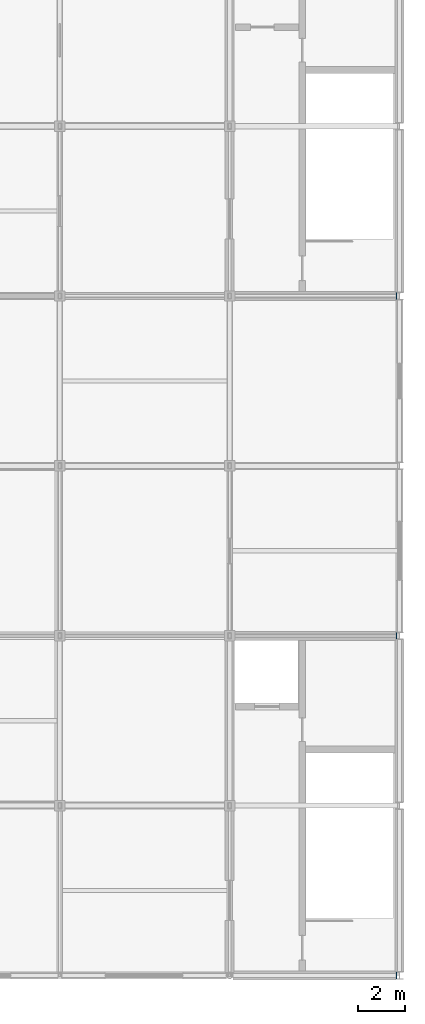
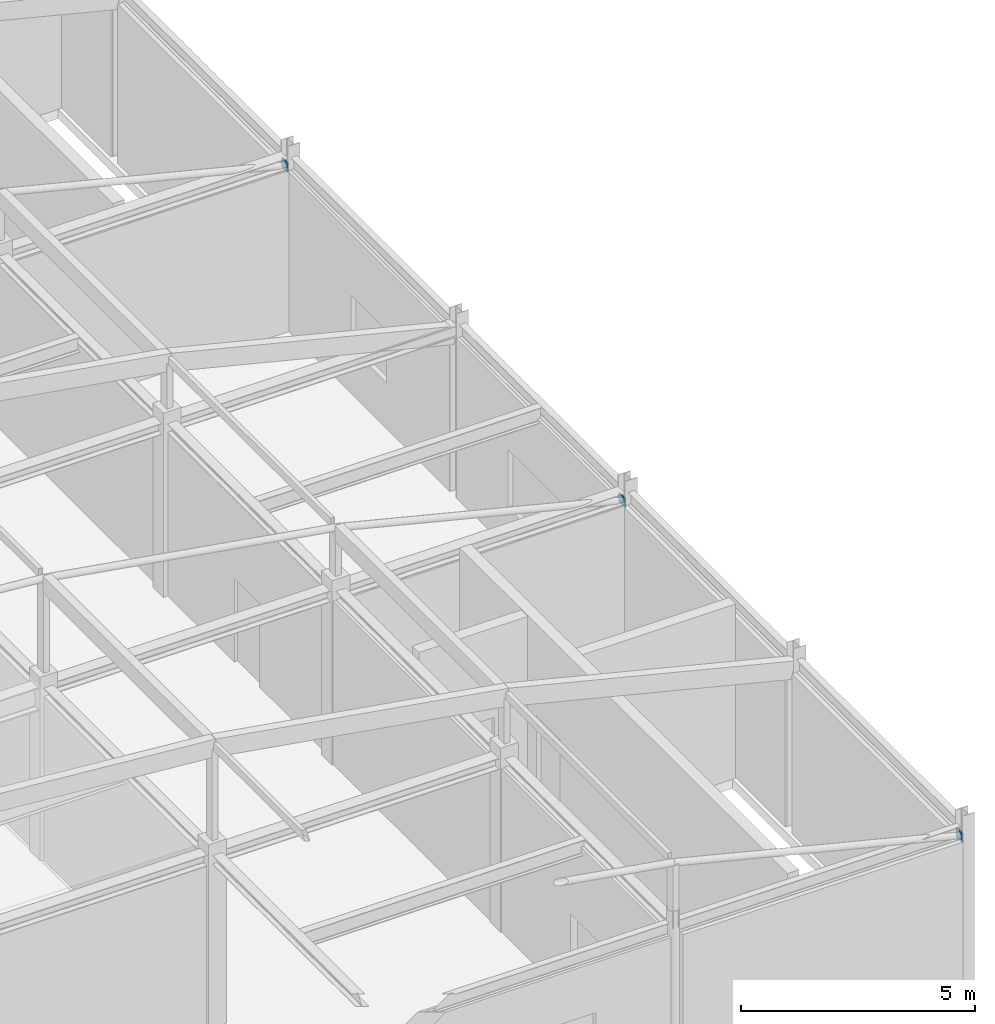
# One storey, part 17 of 23: 3 plates.
"""IFC4 building model written with IfcOpenShell, lengths in metres."""

import ifcopenshell
import ifcopenshell.guid

model = None  # the IFC model being written
_history = None  # IfcOwnerHistory: only IFC2X3 demands one
_inside = {}  # id of a spatial element -> (the spatial element, [elements in it])
_under = {}  # id of a project, library or spatial element -> (it, [spatial elements below it])
_declared = {}  # id of a project -> (the project, [libraries it declares])
_typed = {}  # id of a type object -> (the type object, [elements of that type])
_made_of = {}  # id of a material, layer set ... -> (it, [elements and type objects made of it])


def new_model(schema):
    """Start an empty IFC model of exactly this schema.

    Asked for "IFC4X3", IfcOpenShell would pick the latest addendum, in which some entities
    have other attributes; the version numbers below select the first issue.
    IFC2X3 requires an IfcOwnerHistory on every rooted entity: one is made here for all.
    """
    global model, _history
    if schema == "IFC4X3":
        model = ifcopenshell.file(schema_version=(4, 3, 0, 0))
    else:
        model = ifcopenshell.file(schema=schema)
    _inside.clear()
    _under.clear()
    _declared.clear()
    _typed.clear()
    _made_of.clear()
    _history = None
    if model.schema == "IFC2X3":
        org = make("IfcOrganization", Name="unknown")
        user = make(
            "IfcPersonAndOrganization",
            ThePerson=make("IfcPerson", FamilyName="unknown"),
            TheOrganization=org,
        )
        app = make(
            "IfcApplication",
            ApplicationDeveloper=org,
            Version="unknown",
            ApplicationFullName="unknown",
            ApplicationIdentifier="unknown",
        )
        _history = make(
            "IfcOwnerHistory",
            OwningUser=user,
            OwningApplication=app,
            ChangeAction="ADDED",
            CreationDate=0,
        )
    return model


def make(cls, **values):
    """One entity of the class cls with the attributes given. An attribute that is None is left unset."""
    return model.create_entity(
        cls, **{name: value for name, value in values.items() if value is not None}
    )


def rooted(cls, **values):
    """An entity with a GlobalId (a new one), such as an element, a storey or a relation."""
    return make(cls, GlobalId=ifcopenshell.guid.new(), OwnerHistory=_history, **values)


def si_unit(unit_type, name, prefix=None):
    """IfcSIUnit, for example si_unit("LENGTHUNIT", "METRE", prefix="MILLI")."""
    return make("IfcSIUnit", UnitType=unit_type, Prefix=prefix, Name=name)


def assignment(units):
    """IfcUnitAssignment: the units of a project."""
    return None if units is None else make("IfcUnitAssignment", Units=units)


def point(xyz):
    """IfcCartesianPoint."""
    return None if xyz is None else make("IfcCartesianPoint", Coordinates=xyz)


def direction(xyz):
    """IfcDirection."""
    return None if xyz is None else make("IfcDirection", DirectionRatios=xyz)


def frame(location, z_axis=None, x_axis=None):
    """IfcAxis2Placement3D, a coordinate frame: its origin and axes. An axis left out is left unset."""
    return make(
        "IfcAxis2Placement3D",
        Location=point(location),
        Axis=direction(z_axis),
        RefDirection=direction(x_axis),
    )


def frame_2d(location, x_axis=None):
    """IfcAxis2Placement2D, a coordinate frame in the plane: its origin and x axis."""
    return make(
        "IfcAxis2Placement2D", Location=point(location), RefDirection=direction(x_axis)
    )


def origin():
    """The frame at (0, 0, 0) with its axes left unset."""
    return frame((0.0, 0.0, 0.0))


def origin_2d():
    """The frame at (0, 0) in the plane with its x axis left unset."""
    return frame_2d((0.0, 0.0))


def place(relative_to, where):
    """IfcLocalPlacement: puts the frame where relative to a parent placement (None: the world)."""
    return make(
        "IfcLocalPlacement", PlacementRelTo=relative_to, RelativePlacement=where
    )


def context(
    kind, dimensions, precision=None, world=None, true_north=None, identifier=None
):
    """IfcGeometricRepresentationContext, for example the 3D "Model" context."""
    return make(
        "IfcGeometricRepresentationContext",
        ContextIdentifier=identifier,
        ContextType=kind,
        CoordinateSpaceDimension=dimensions,
        Precision=precision,
        WorldCoordinateSystem=world,
        TrueNorth=true_north,
    )


def subcontext(parent, identifier, kind, view, scale=None):
    """IfcGeometricRepresentationSubContext, for example "Body" below "Model"."""
    return make(
        "IfcGeometricRepresentationSubContext",
        ContextIdentifier=identifier,
        ContextType=kind,
        ParentContext=parent,
        TargetScale=scale,
        TargetView=view,
    )


def project(units=None, contexts=None):
    """IfcProject with its units and contexts."""
    return rooted(
        "IfcProject",
        Name="project",
        RepresentationContexts=contexts,
        UnitsInContext=assignment(units),
    )


def spatial(cls, under=None, at=None, **own):
    """A site, building, storey or space (cls), placed at a placement, below another one or the project."""
    s = rooted(cls, ObjectPlacement=at, **own)
    if under is not None:
        _under.setdefault(under.id(), (under, []))[1].append(s)
    return s


def profile(cls, at=None, kind="AREA", **sizes):
    """A parametric profile (cls). Its sizes go by their IFC names, for example OverallWidth=200.0."""
    return make(cls, ProfileType=kind, Position=at, **sizes)


def rectangle(**sizes):
    """IfcRectangleProfileDef."""
    return profile("IfcRectangleProfileDef", **sizes)


def extrude(swept, where, along, depth):
    """IfcExtrudedAreaSolid: the profile swept, set in the frame where, extruded along a direction by depth."""
    return make(
        "IfcExtrudedAreaSolid",
        SweptArea=swept,
        Position=where,
        ExtrudedDirection=direction(along),
        Depth=depth,
    )


def shape(context_of_items, identifier, shape_type, items):
    """IfcShapeRepresentation: the items that make up one representation, for example the "Body"."""
    return make(
        "IfcShapeRepresentation",
        ContextOfItems=context_of_items,
        RepresentationIdentifier=identifier,
        RepresentationType=shape_type,
        Items=items,
    )


def material(Name=None, Category=None):
    """IfcMaterial."""
    return make("IfcMaterial", Name=Name, Category=Category)


def layer(
    of_material, thickness, ventilated=None, Name=None, Category=None, Priority=None
):
    """IfcMaterialLayer: one layer of a wall or slab, of a material (None: an air gap)."""
    return make(
        "IfcMaterialLayer",
        Material=of_material,
        LayerThickness=thickness,
        IsVentilated=ventilated,
        Name=Name,
        Category=Category,
        Priority=Priority,
    )


def layer_set(layers, Name=None):
    """IfcMaterialLayerSet."""
    return make("IfcMaterialLayerSet", MaterialLayers=layers, LayerSetName=Name)


def made_of(thing, what):
    """Note that an element or type object is made of a material, layer set ...; save() writes the relation."""
    if what is not None:
        _made_of.setdefault(what.id(), (what, []))[1].append(thing)
    return thing


def type_object(cls, material=None, **own):
    """A type object (cls), such as IfcWallType, which elements share."""
    return made_of(rooted(cls, **own), material)


def element(
    cls,
    number,
    at=None,
    inside=None,
    cuts=None,
    type_object=None,
    material=None,
    context=None,
    identifier="Body",
    shape_type=None,
    held_by="IfcProductDefinitionShape",
    body=None,
    shapes=None,
    **own,
):
    """One element of the class cls, such as IfcWall. Its Tag is "e" and its number.

    at: its placement. inside: the storey or other place that contains it. cuts: it is an
    opening in that element (IfcRelVoidsElement). A single representation is given by context,
    identifier, shape_type and body (its items); several are given by shapes. held_by: the class
    of the entity that holds the representations. save() writes the other relations.
    """
    e = rooted(cls, Tag="e%d" % number, ObjectPlacement=at, **own)
    if body is not None:
        shapes = [shape(context, identifier, shape_type, body)]
    if shapes is not None:
        e.Representation = make(held_by, Representations=shapes)
    if inside is not None:
        _inside.setdefault(inside.id(), (inside, []))[1].append(e)
    if cuts is not None:
        rooted(
            "IfcRelVoidsElement", RelatingBuildingElement=cuts, RelatedOpeningElement=e
        )
    if type_object is not None:
        _typed.setdefault(type_object.id(), (type_object, []))[1].append(e)
    return made_of(e, material)


def aggregate(whole, parts):
    """IfcRelAggregates: a whole, such as a stair, and the parts it consists of."""
    return rooted("IfcRelAggregates", RelatingObject=whole, RelatedObjects=parts)


def save(model, path):
    """Write the relations noted so far, then the file.

    IfcRelAggregates (storeys below a building ...), IfcRelContainedInSpatialStructure (elements
    in a storey), IfcRelDefinesByType, IfcRelAssociatesMaterial and IfcRelDeclares: one each for
    every whole, place, type object, material and project.
    """
    for whole, parts in _under.values():
        aggregate(whole, parts)
    for where, things in _inside.values():
        rooted(
            "IfcRelContainedInSpatialStructure",
            RelatedElements=things,
            RelatingStructure=where,
        )
    for kind, things in _typed.values():
        rooted("IfcRelDefinesByType", RelatedObjects=things, RelatingType=kind)
    for what, things in _made_of.values():
        rooted("IfcRelAssociatesMaterial", RelatedObjects=things, RelatingMaterial=what)
    for by, libraries in _declared.values():
        rooted("IfcRelDeclares", RelatingContext=by, RelatedDefinitions=libraries)
    model.write(path)


model = new_model("IFC4")

# Units and contexts
model_context = context("Model", 3, precision=1e-05, world=origin(), true_north=direction((0.0, 1.0)))
body_context = subcontext(model_context, "Body", "Model", "MODEL_VIEW")
ifc_project = project(units=[si_unit("LENGTHUNIT", "METRE"), si_unit("AREAUNIT", "SQUARE_METRE"), si_unit("VOLUMEUNIT", "CUBIC_METRE"), si_unit("PLANEANGLEUNIT", "RADIAN"), si_unit("MASSUNIT", "GRAM", prefix="KILO")], contexts=[model_context])

# Site, building, storey
site_placement = place(None, origin())
site = spatial("IfcSite", under=ifc_project, at=site_placement, CompositionType="ELEMENT")
building_placement = place(site_placement, origin())
building = spatial("IfcBuilding", under=site, at=building_placement, Name="Cendaluz Park School", CompositionType="ELEMENT")
storey_placement = place(building_placement, frame((0.0, 0.0, 67.199951171875)))
storey = spatial("IfcBuildingStorey", under=building, at=storey_placement, Name="L16", CompositionType="ELEMENT", Elevation=67.199951171875)

# Plates
ifc_material = material(Name="Steel S355", Category="steel")
ifc_layer = layer(ifc_material, 0.030029296875)
ifc_layer_set = layer_set([ifc_layer], Name="Steel S355")
plate_type = type_object("IfcPlateType", Name="GP-02", PredefinedType="SHEET", material=ifc_layer_set)
for number, where, z_axis, x_axis, name in (
    (1, (107.8701171875, 14.39990234375, 4.10009765625), (0.0, 0.0, 1.0), (1.0, 0.0, 0.0), "GP-L16-01E"),
    (2, (107.8701171875, 28.800048828125, 4.10009765625), (0.0, 0.0, 1.0), (1.0, 0.0, 0.0), "GP-L16-02E"),
    (3, (107.8701171875, 43.199951171875, 4.10009765625), (0.0, 0.0, 1.0), (1.0, 0.0, 0.0), "GP-L16-03E"),
):
    element("IfcPlate", number, at=place(storey_placement, frame(where, z_axis=z_axis, x_axis=x_axis)), inside=storey, type_object=plate_type, Name=name, PredefinedType="SHEET", context=body_context, shape_type="SweptSolid", body=[
        extrude(rectangle(XDim=0.030029296875, YDim=0.263916015625, at=origin_2d()), origin(), (0.0, 0.0, 1.0), 0.239990234375),
    ])

save(model, "model.ifc")
